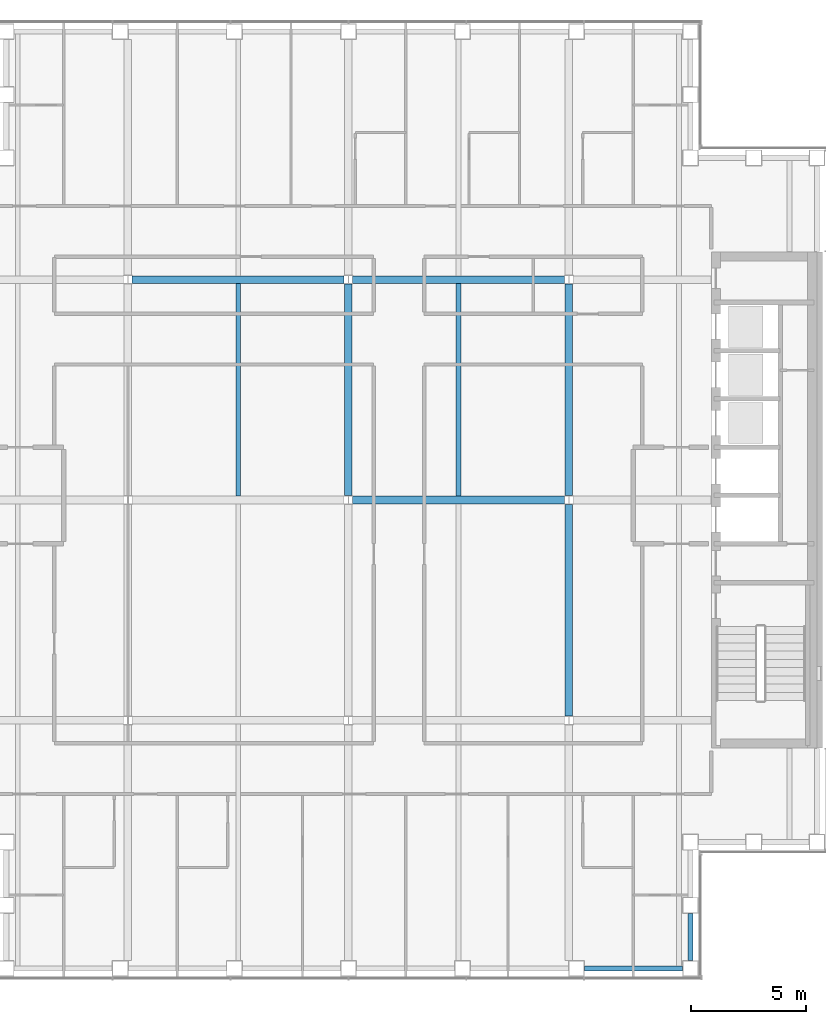
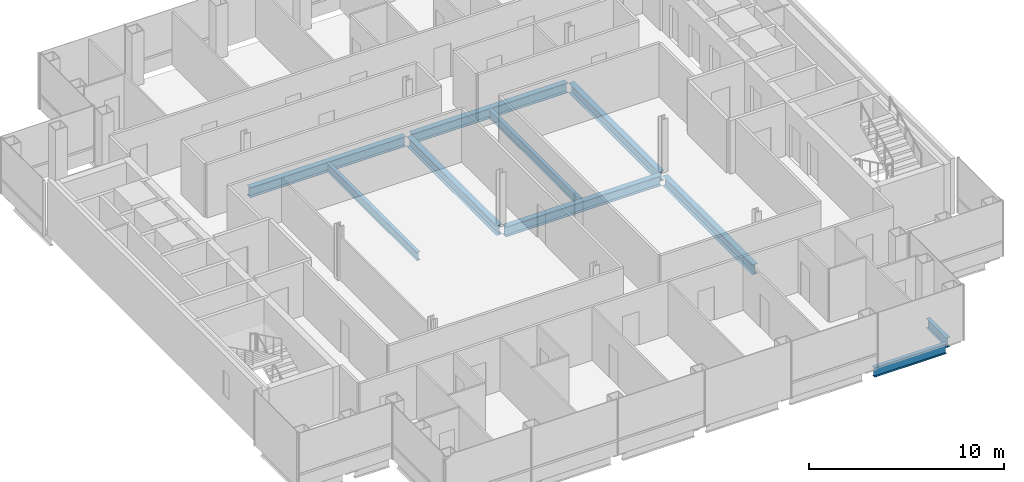
# One storey, part 5 of 15: 10 beams.
"""IFC4 building model written with IfcOpenShell, lengths in metres."""

from ifc_helpers import new_model, si_unit, direction, frame, origin, origin_2d, place, context, subcontext, project, spatial, i_section, extrude, material, material_profile, profile_set, type_object, element, save


model = new_model("IFC4")

# Units and contexts
model_context = context("Model", 3, precision=1e-05, world=origin(), true_north=direction((0.0, 1.0)))
body_context = subcontext(model_context, "Body", "Model", "MODEL_VIEW")
ifc_project = project(units=[si_unit("LENGTHUNIT", "METRE"), si_unit("AREAUNIT", "SQUARE_METRE"), si_unit("VOLUMEUNIT", "CUBIC_METRE"), si_unit("PLANEANGLEUNIT", "RADIAN"), si_unit("MASSUNIT", "GRAM", prefix="KILO")], contexts=[model_context])

# Site, building, storey
site_placement = place(None, origin())
site = spatial("IfcSite", under=ifc_project, at=site_placement, CompositionType="ELEMENT")
building_placement = place(site_placement, origin())
building = spatial("IfcBuilding", under=site, at=building_placement, Name="Cobrizo Arcos Hotel Tower", CompositionType="ELEMENT")
storey_placement = place(building_placement, frame((0.0, 0.0, 215.5)))
storey = spatial("IfcBuildingStorey", under=building, at=storey_placement, Name="L56", CompositionType="ELEMENT", Elevation=215.5)

# Beams
ifc_material = material(Name="Steel ASTM A992 Grade 50", Category="steel")
ifc_material_profile_1 = material_profile(ifc_material, i_section(OverallWidth=0.209228515625, OverallDepth=0.533447265625, WebThickness=0.01025390625, FlangeThickness=0.015625, at=origin_2d()), Name="W21X62")
ifc_profile_set_1 = profile_set([ifc_material_profile_1], Name="Steel ASTM A992 Grade 50")
beam_type_1 = type_object("IfcBeamType", Name="W21X62 joist", PredefinedType="JOIST", material=ifc_profile_set_1)
for number, where, z_axis, x_axis, name in (
    (1, (-4.800048828125, 0.163818359375, -0.416748046875), (0.0, 1.0, 0.0), (-1.0, 0.0, 0.0), "Floor joist J1, L56, no. 009"),
    (2, (4.800048828125, 0.163818359375, -0.416748046875), (0.0, 1.0, 0.0), (-1.0, 0.0, 0.0), "Floor joist J1, L56, no. 013"),
):
    element("IfcBeam", number, at=place(storey_placement, frame(where, z_axis=z_axis, x_axis=x_axis)), inside=storey, type_object=beam_type_1, Name=name, PredefinedType="JOIST", context=body_context, shape_type="SweptSolid", body=[
        extrude(i_section(OverallWidth=0.209228515625, OverallDepth=0.533447265625, WebThickness=0.01025390625, FlangeThickness=0.015625, at=origin_2d()), origin(), (0.0, 0.0, 1.0), 9.272216796875),
    ])
ifc_material_profile_2 = material_profile(ifc_material, i_section(OverallWidth=0.32763671875, OverallDepth=0.622314453125, WebThickness=0.015380859375, FlangeThickness=0.0244140625, at=origin_2d()), Name="W24X131")
ifc_profile_set_2 = profile_set([ifc_material_profile_2], Name="Steel ASTM A992 Grade 50")
beam_type_2 = type_object("IfcBeamType", Name="W24X131 girder", PredefinedType="BEAM", material=ifc_profile_set_2)
for number, where, z_axis, x_axis, name in (
    (3, (0.186767578125, 0.0, -0.461181640625), (1.0, 0.0, 0.0), (0.0, 1.0, 0.0), "Floor girder G1, L56, no. 007"),
    (4, (-9.413330078125, 9.60009765625, -0.461181640625), (1.0, 0.0, 0.0), (0.0, 1.0, 0.0), "Floor girder G1, L56, no. 010"),
    (5, (0.186767578125, 9.60009765625, -0.461181640625), (1.0, 0.0, 0.0), (0.0, 1.0, 0.0), "Floor girder G1, L56, no. 011"),
    (6, (0.0, 0.186767578125, -0.461181640625), (0.0, 1.0, 0.0), (-1.0, 0.0, 0.0), "Floor girder G1, L56, no. 019"),
    (7, (9.60009765625, -9.413330078125, -0.461181640625), (0.0, 1.0, 0.0), (-1.0, 0.0, 0.0), "Floor girder G1, L56, no. 022"),
    (8, (9.60009765625, 0.186767578125, -0.461181640625), (0.0, 1.0, 0.0), (-1.0, 0.0, 0.0), "Floor girder G1, L56, no. 023"),
):
    element("IfcBeam", number, at=place(storey_placement, frame(where, z_axis=z_axis, x_axis=x_axis)), inside=storey, type_object=beam_type_2, Name=name, PredefinedType="BEAM", context=body_context, shape_type="SweptSolid", body=[
        extrude(i_section(OverallWidth=0.32763671875, OverallDepth=0.622314453125, WebThickness=0.015380859375, FlangeThickness=0.0244140625, at=origin_2d()), origin(), (0.0, 0.0, 1.0), 9.2265625),
    ])
ifc_material_profile_3 = material_profile(ifc_material, i_section(OverallWidth=0.228271484375, OverallDepth=0.607177734375, WebThickness=0.01123046875, FlangeThickness=0.017333984375, at=origin_2d()), Name="W24X76")
ifc_profile_set_3 = profile_set([ifc_material_profile_3], Name="Steel ASTM A992 Grade 50")
beam_type_3 = type_object("IfcBeamType", Name="W24X76 spandrel", PredefinedType="SPANDREL", material=ifc_profile_set_3)
beam_1_placement = place(storey_placement, frame((10.282958984375, -20.39990234375, -0.45361328125), z_axis=(1.0, 0.0, 0.0), x_axis=(0.0, 1.0, 0.0)))
element("IfcBeam", 9, at=beam_1_placement, inside=storey, type_object=beam_type_3, Name="Spandrel beam W24X76, L56, no. 006", PredefinedType="SPANDREL", context=body_context, shape_type="SweptSolid", body=[
    extrude(i_section(OverallWidth=0.228271484375, OverallDepth=0.607177734375, WebThickness=0.01123046875, FlangeThickness=0.017333984375, at=origin_2d()), origin(), (0.0, 0.0, 1.0), 4.26708984375),
])
beam_2_placement = place(storey_placement, frame((14.89990234375, -20.050048828125, -0.45361328125), z_axis=(0.0, 1.0, 0.0), x_axis=(-1.0, 0.0, 0.0)))
element("IfcBeam", 10, at=beam_2_placement, inside=storey, type_object=beam_type_3, Name="Spandrel beam W24X76, L56, no. 007", PredefinedType="SPANDREL", context=body_context, shape_type="SweptSolid", body=[
    extrude(i_section(OverallWidth=0.228271484375, OverallDepth=0.607177734375, WebThickness=0.01123046875, FlangeThickness=0.017333984375, at=origin_2d()), origin(), (0.0, 0.0, 1.0), 2.050048828125),
])

save(model, "model.ifc")
